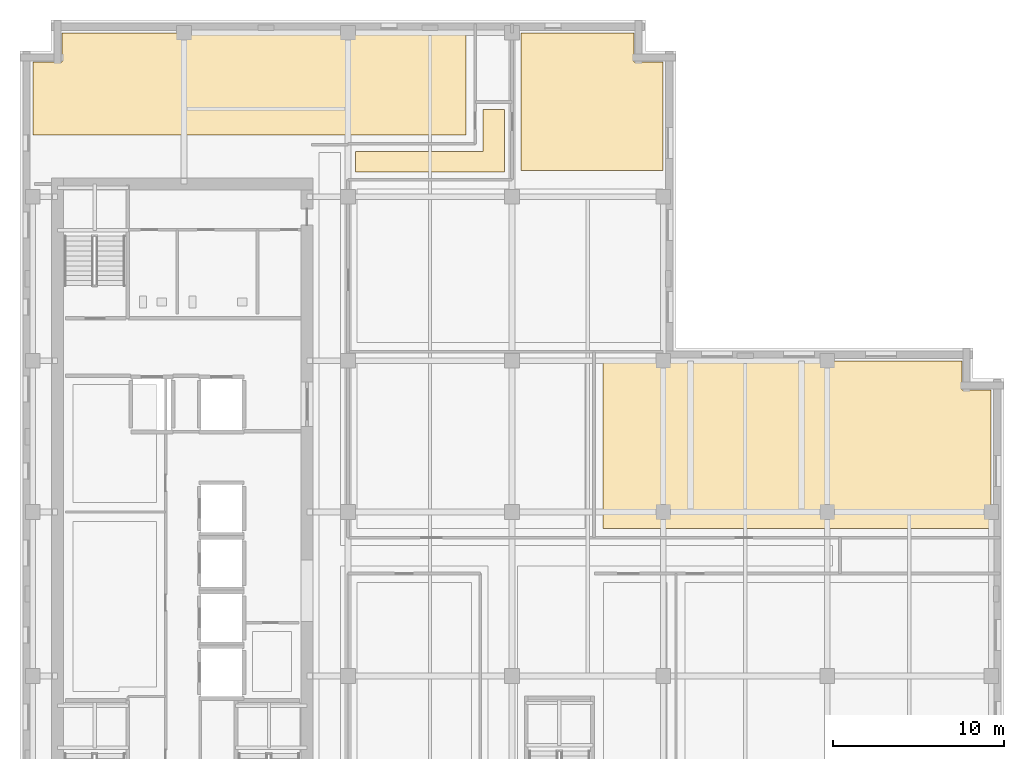
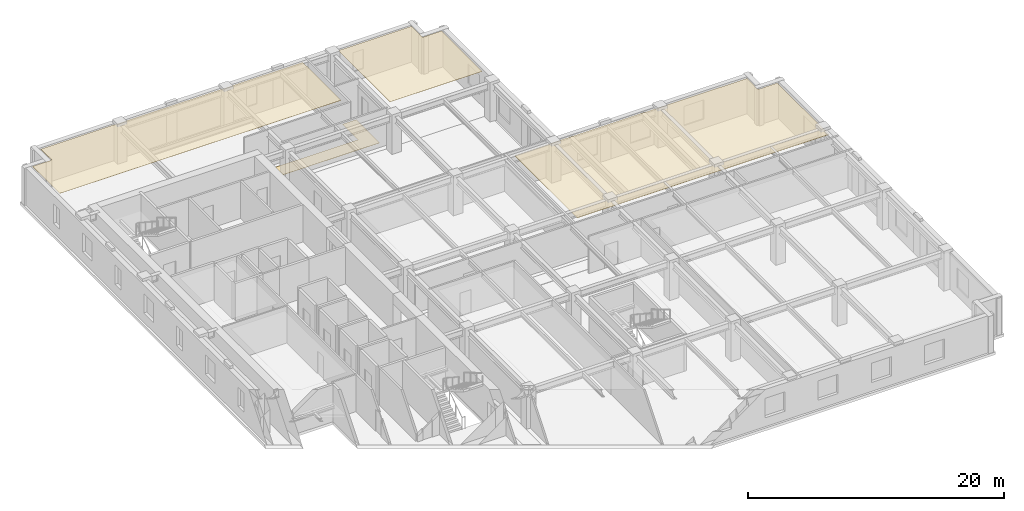
# One storey, part 13 of 14: 4 coverings.
"""IFC4 building model written with IfcOpenShell, lengths in metres."""

from ifc_helpers import new_model, si_unit, direction, frame, origin, place, context, subcontext, project, spatial, polyline, outline, extrude, material, layer, layer_set, type_object, element, save


model = new_model("IFC4")

# Units and contexts
model_context = context("Model", 3, precision=1e-05, world=origin(), true_north=direction((0.0, 1.0)))
body_context = subcontext(model_context, "Body", "Model", "MODEL_VIEW")
ifc_project = project(units=[si_unit("LENGTHUNIT", "METRE"), si_unit("AREAUNIT", "SQUARE_METRE"), si_unit("VOLUMEUNIT", "CUBIC_METRE"), si_unit("PLANEANGLEUNIT", "RADIAN"), si_unit("MASSUNIT", "GRAM", prefix="KILO")], contexts=[model_context])

# Site, building, storey
site_placement = place(None, origin())
site = spatial("IfcSite", under=ifc_project, at=site_placement, CompositionType="ELEMENT")
building_placement = place(site_placement, origin())
building = spatial("IfcBuilding", under=site, at=building_placement, Name="Norrvale University Quadrangle", CompositionType="ELEMENT")
storey_placement = place(building_placement, frame((0.0, 0.0, 218.0)))
storey = spatial("IfcBuildingStorey", under=building, at=storey_placement, Name="L55", CompositionType="ELEMENT", Elevation=218.0)

# Coverings
ifc_material_1 = material(Name="Perforated Acoustic Mineral Ceiling")
ifc_layer_1 = layer(ifc_material_1, 0.02490234375, Name="Perforated Acoustic Mineral Ceiling")
ifc_layer_set_1 = layer_set([ifc_layer_1], Name="Perforated Acoustic Mineral Ceiling")
covering_type_1 = type_object("IfcCoveringType", Name="Covering Acoustic Ceiling 25", PredefinedType="CEILING", material=ifc_layer_set_1)
covering_1_placement = place(storey_placement, frame((0.0, 0.0, 3.47509765625)))
element("IfcCovering", 1, at=covering_1_placement, inside=storey, type_object=covering_type_1, Name="Acoustic Ceiling RM-L55-ME02", PredefinedType="CEILING", context=body_context, shape_type="SweptSolid", body=[
    extrude(outline(polyline([(56.85009765625, 27.830078125), (34.1298828125, 27.830078125), (34.1298828125, 37.64990234375), (55.1298828125, 37.64990234375), (55.1298828125, 35.929931640625), (56.85009765625, 35.929931640625), (56.85009765625, 27.830078125)])), origin(), (0.0, 0.0, 1.0), 0.02490234375),
])
covering_2_placement = place(storey_placement, frame((0.0, 0.0, 3.514892578125)))
element("IfcCovering", 2, at=covering_2_placement, inside=storey, type_object=covering_type_1, Name="Acoustic Ceiling RM-L55-NE01", PredefinedType="CEILING", context=body_context, shape_type="SweptSolid", body=[
    extrude(outline(polyline([(37.64990234375, 48.780029296875), (29.330078125, 48.780029296875), (29.330078125, 56.85009765625), (35.929931640625, 56.85009765625), (35.929931640625, 55.1298828125), (37.64990234375, 55.1298828125), (37.64990234375, 48.780029296875)])), origin(), (0.0, 0.0, 1.0), 0.025146484375),
])
covering_3_placement = place(storey_placement, frame((0.0, 0.0, 3.514892578125)))
element("IfcCovering", 3, at=covering_3_placement, inside=storey, type_object=covering_type_1, Name="Acoustic Ceiling RM-L55-NW01", PredefinedType="CEILING", context=body_context, shape_type="SweptSolid", body=[
    extrude(outline(polyline([(26.1201171875, 56.85009765625), (26.1201171875, 50.8798828125), (0.75, 50.8798828125), (0.75, 55.1298828125), (2.469970703125, 55.1298828125), (2.469970703125, 56.85009765625), (26.1201171875, 56.85009765625)])), origin(), (0.0, 0.0, 1.0), 0.025146484375),
])
ifc_material_2 = material(Name="Polished Terrazzo Flooring")
ifc_layer_2 = layer(ifc_material_2, 0.02490234375, Name="Polished Terrazzo Flooring")
ifc_layer_set_2 = layer_set([ifc_layer_2], Name="Polished Terrazzo Flooring")
covering_type_2 = type_object("IfcCoveringType", Name="Covering Terrazzo Floor 30", PredefinedType="FLOORING", material=ifc_layer_set_2)
covering_4_placement = place(storey_placement, origin())
element("IfcCovering", 4, at=covering_4_placement, inside=storey, type_object=covering_type_2, Name="Terrazzo Flooring RM-L55-NCJOG", PredefinedType="FLOORING", context=body_context, shape_type="SweptSolid", body=[
    extrude(outline(polyline([(19.64990234375, 48.699951171875), (19.64990234375, 49.89990234375), (27.10009765625, 49.89990234375), (27.10009765625, 52.35009765625), (28.35009765625, 52.35009765625), (28.35009765625, 48.699951171875), (19.64990234375, 48.699951171875)])), origin(), (0.0, 0.0, 1.0), 0.02490234375),
])

save(model, "model.ifc")
